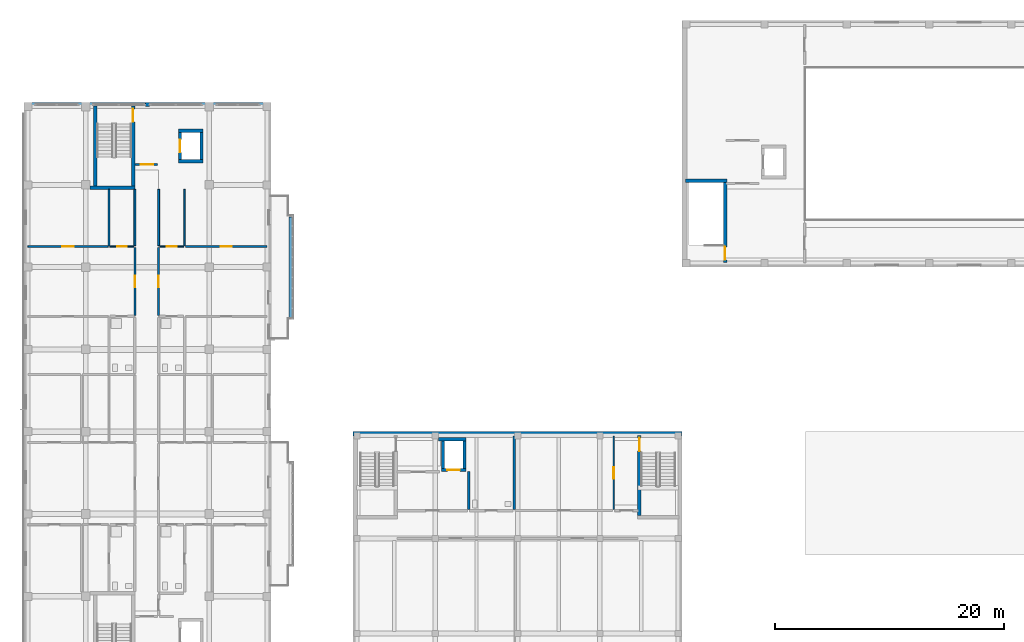
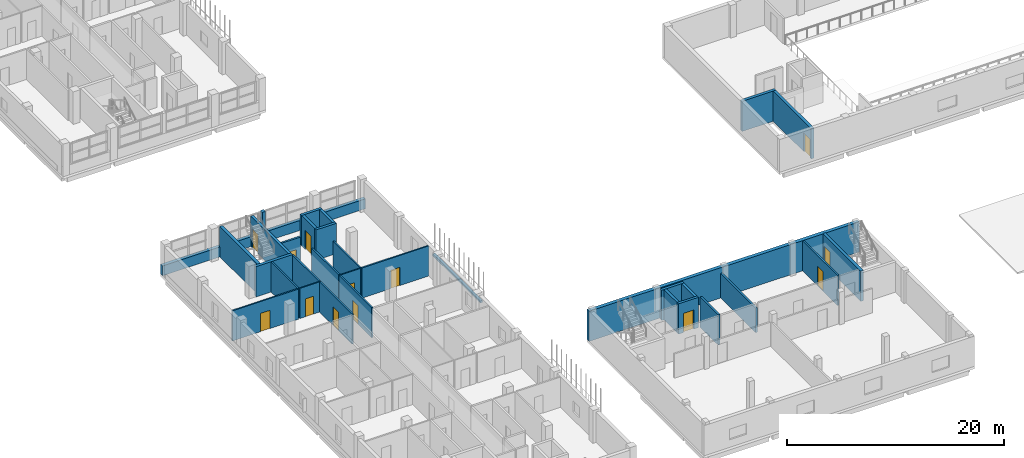
# One storey, part 37 of 73: 32 walls, 13 doors, 13 openings.
"""IFC4 building model written with IfcOpenShell, lengths in metres."""

from ifc_helpers import new_model, si_unit, derived_unit, direction, frame, frame_2d, origin, place, context, subcontext, project, spatial, rectangle, extrude, material, layer, layer_set, type_object, element, fill, save


model = new_model("IFC4")

# Units and contexts
model_context = context("Model", 3, precision=1e-05, world=origin(), true_north=direction((0.0, 1.0)))
body_context = subcontext(model_context, "Body", "Model", "MODEL_VIEW")
ifc_project = project(units=[si_unit("LENGTHUNIT", "METRE"), si_unit("AREAUNIT", "SQUARE_METRE"), si_unit("VOLUMEUNIT", "CUBIC_METRE"), si_unit("PLANEANGLEUNIT", "RADIAN"), si_unit("MASSUNIT", "GRAM", prefix="KILO"), derived_unit("THERMALTRANSMITTANCEUNIT", [(si_unit("MASSUNIT", "GRAM", prefix="KILO"), 1), (si_unit("TIMEUNIT", "SECOND"), -3), (si_unit("THERMODYNAMICTEMPERATUREUNIT", "KELVIN"), -1)])], contexts=[model_context])

# Site, building, storey
site_placement = place(None, origin())
site = spatial("IfcSite", under=ifc_project, at=site_placement, CompositionType="ELEMENT")
building_placement = place(site_placement, origin())
building = spatial("IfcBuilding", under=site, at=building_placement, Name="Ochrekiln Boulevard Commons", CompositionType="ELEMENT")
storey_placement = place(building_placement, frame((0.0, 0.0, 4.89990234375)))
storey = spatial("IfcBuildingStorey", under=building, at=storey_placement, Name="L01", CompositionType="ELEMENT", Elevation=4.89990234375)

# Walls
ifc_material_1 = material(Name="Desert ochre clinker brick masonry ASTM C216 Grade SW", Category="masonry")
ifc_layer_1 = layer(ifc_material_1, 0.3798828125)
ifc_layer_set_1 = layer_set([ifc_layer_1], Name="Desert ochre clinker brick masonry ASTM C216 Grade SW")
wall_type_1 = type_object("IfcWallType", Name="WL-EXT-ARC-380", PredefinedType="SOLIDWALL", material=ifc_layer_set_1)
wall_1_placement = place(storey_placement, frame((28.800048828125, 21.409912109375, 0.0), z_axis=(0.0, 0.0, 1.0), x_axis=(1.0, 0.0, 0.0)))
element("IfcWall", 1, at=wall_1_placement, inside=storey, type_object=wall_type_1, Name="West Boulevard Arcade L01 N Exterior Wall", PredefinedType="SOLIDWALL", context=body_context, shape_type="SweptSolid", body=[
    extrude(rectangle(XDim=28.800048828125, YDim=0.3798828125, at=frame_2d((14.39990234375, 0.0))), origin(), (0.0, 0.0, 1.0), 3.400146484375),
])
ifc_material_2 = material(Name="Iron-spot brown clinker brick masonry ASTM C216 Grade SW", Category="masonry")
ifc_layer_2 = layer(ifc_material_2, 0.364990234375)
ifc_layer_set_2 = layer_set([ifc_layer_2], Name="Iron-spot brown clinker brick masonry ASTM C216 Grade SW")
wall_type_2 = type_object("IfcWallType", Name="WL-EXT-IRON-365", PredefinedType="SOLIDWALL", material=ifc_layer_set_2)
wall_2_placement = place(storey_placement, frame((0.0, 50.217529296875, 0.0), z_axis=(0.0, 0.0, 1.0), x_axis=(1.0, 0.0, 0.0)))
element("IfcWall", 2, at=wall_2_placement, inside=storey, type_object=wall_type_2, Name="Block D L01 Courtyard Gable Sill Wall", PredefinedType="SOLIDWALL", context=body_context, shape_type="SweptSolid", body=[
    extrude(rectangle(XDim=21.60009765625, YDim=0.364990234375, at=frame_2d((10.800048828125, 0.0))), origin(), (0.0, 0.0, 1.0), 1.110107421875),
])
wall_3_placement = place(storey_placement, frame((10.6201171875, 50.217529296875, 1.110107421875), z_axis=(0.0, 0.0, 1.0), x_axis=(1.0, 0.0, 0.0)))
element("IfcWall", 3, at=wall_3_placement, inside=storey, type_object=wall_type_2, Name="Block D L01 Courtyard Gable Mullion Pier", PredefinedType="SOLIDWALL", context=body_context, shape_type="SweptSolid", body=[
    extrude(rectangle(XDim=0.35986328125, YDim=0.364990234375, at=frame_2d((0.179931640625, 0.0))), origin(), (0.0, 0.0, 1.0), 2.304931640625),
])
ifc_material_3 = material(Name="Moisture-resistant cementitious tile backer wall")
ifc_layer_3 = layer(ifc_material_3, 0.199951171875)
ifc_layer_set_3 = layer_set([ifc_layer_3], Name="Moisture-resistant cementitious tile backer wall")
wall_type_3 = type_object("IfcWallType", Name="WL-PLM-200", PredefinedType="PLUMBINGWALL", material=ifc_layer_set_3)
wall_4_placement = place(storey_placement, frame((38.909912109375, 14.780029296875, 0.0), z_axis=(0.0, 0.0, 1.0), x_axis=(0.0, 1.0, 0.0)))
element("IfcWall", 4, at=wall_4_placement, inside=storey, type_object=wall_type_3, Name="L01 Interior Wall W-PW200", PredefinedType="PLUMBINGWALL", context=body_context, shape_type="SweptSolid", body=[
    extrude(rectangle(XDim=3.344970703125, YDim=0.199951171875, at=frame_2d((1.67236328125, 0.0))), origin(), (0.0, 0.0, 1.0), 3.39013671875),
])
wall_5_placement = place(storey_placement, frame((42.889892578125, 14.77197265625, 0.0), z_axis=(0.0, 0.0, 1.0), x_axis=(0.0, 1.0, 0.0)))
element("IfcWall", 5, at=wall_5_placement, inside=storey, type_object=wall_type_3, Name="L01 Interior Wall W-PW200", PredefinedType="PLUMBINGWALL", context=body_context, shape_type="SweptSolid", body=[
    extrude(rectangle(XDim=6.447998046875, YDim=0.199951171875, at=frame_2d((3.22412109375, 0.0))), origin(), (0.0, 0.0, 1.0), 2.77001953125),
])
ifc_material_4 = material(Name="Glazed architectural terracotta ASTM C1405", Category="masonry")
ifc_layer_4 = layer(ifc_material_4, 0.25)
ifc_layer_set_4 = layer_set([ifc_layer_4], Name="Glazed architectural terracotta ASTM C1405")
wall_type_4 = type_object("IfcWallType", Name="WL-PLN-250", PredefinedType="PARAPET", material=ifc_layer_set_4)
wall_6_placement = place(storey_placement, frame((23.320068359375, 31.610107421875, 0.0), z_axis=(0.0, 0.0, 1.0), x_axis=(0.0, 1.0, 0.0)))
element("IfcWall", 6, at=wall_6_placement, inside=storey, type_object=wall_type_4, Name="Block D L01 Balcony Terracotta Planter Box 2", PredefinedType="PARAPET", context=body_context, shape_type="SweptSolid", body=[
    extrude(rectangle(XDim=8.77978515625, YDim=0.25, at=frame_2d((4.389892578125, 0.0))), origin(), (0.0, 0.0, 1.0), 0.22998046875),
])

# Wall, opening, door
ifc_material_5 = material(Name="Fire-rated Type X gypsum board on steel studs", Category="steel")
ifc_layer_5 = layer(ifc_material_5, 0.1650390625)
ifc_layer_set_5 = layer_set([ifc_layer_5], Name="Fire-rated Type X gypsum board on steel studs")
wall_type_5 = type_object("IfcWallType", Name="WL-PT-CORR-165", PredefinedType="PARTITIONING", material=ifc_layer_set_5)
wall_7_placement = place(storey_placement, frame((9.7099609375, 31.77001953125, 0.0), z_axis=(0.0, 0.0, 1.0), x_axis=(0.0, 1.0, 0.0)))
wall_7 = element("IfcWall", 7, at=wall_7_placement, inside=storey, type_object=wall_type_5, Name="L01 Interior Wall W-PC165", PredefinedType="PARTITIONING", context=body_context, shape_type="SweptSolid", body=[
    extrude(rectangle(XDim=5.9580078125, YDim=0.1650390625, at=frame_2d((2.97900390625, 0.0))), origin(), (0.0, 0.0, 1.0), 3.39501953125),
])
opening_1_placement = place(wall_7_placement, frame((2.47412109375, 0.0, 0.0)))
opening_1 = element("IfcOpeningElement", 8, at=opening_1_placement, cuts=wall_7, Name="Opening D-L01-245", PredefinedType="OPENING", context=body_context, shape_type="SweptSolid", body=[
    extrude(rectangle(XDim=1.010009765625, YDim=2.110107421875, at=frame_2d((0.5048828125, 1.05517578125))), frame((0.0, 0.092529296875, 0.0), z_axis=(0.0, -1.0, 0.0), x_axis=(1.0, 0.0, 0.0)), (0.0, 0.0, 1.0), 0.18505859375),
])
ifc_material_6 = material(Name="Solid core architectural oak door leaf")
door_type_1 = type_object("IfcDoorType", Name="DR-INT-APT-101", OperationType="NOTDEFINED", PredefinedType="DOOR", material=ifc_material_6)
door_1_placement = place(opening_1_placement, origin())
door_1 = element("IfcDoor", 9, at=door_1_placement, inside=storey, type_object=door_type_1, Name="L01 Interior Door to Two-Bedroom Apartment Living Room", OperationType="SINGLE_SWING_LEFT", OverallHeight=2.110107421875, OverallWidth=1.010009765625, PredefinedType="DOOR", context=body_context, shape_type="SweptSolid", body=[
    extrude(rectangle(XDim=1.010009765625, YDim=2.110107421875, at=frame_2d((0.5048828125, 1.05517578125))), frame((0.0, 0.02490234375, 0.0), z_axis=(0.0, -1.0, 0.0), x_axis=(1.0, 0.0, 0.0)), (0.0, 0.0, 1.0), 0.050048828125),
])
fill(opening_1, door_1)

# Wall
wall_8_placement = place(storey_placement, frame((9.7099609375, 37.887939453125, 0.0), z_axis=(0.0, 0.0, 1.0), x_axis=(0.0, 1.0, 0.0)))
element("IfcWall", 10, at=wall_8_placement, inside=storey, type_object=wall_type_5, Name="L01 Interior Wall W-PC165", PredefinedType="PARTITIONING", context=body_context, shape_type="SweptSolid", body=[
    extrude(rectangle(XDim=4.912109375, YDim=0.1650390625, at=frame_2d((2.4560546875, 0.0))), origin(), (0.0, 0.0, 1.0), 3.39501953125),
])

# Wall, opening, door
wall_9_placement = place(storey_placement, frame((11.7900390625, 31.77001953125, 0.0), z_axis=(0.0, 0.0, 1.0), x_axis=(0.0, 1.0, 0.0)))
wall_9 = element("IfcWall", 11, at=wall_9_placement, inside=storey, type_object=wall_type_5, Name="L01 Interior Wall W-PC165", PredefinedType="PARTITIONING", context=body_context, shape_type="SweptSolid", body=[
    extrude(rectangle(XDim=5.9580078125, YDim=0.1650390625, at=frame_2d((2.97900390625, 0.0))), origin(), (0.0, 0.0, 1.0), 3.39501953125),
])
opening_2_placement = place(wall_9_placement, frame((2.47412109375, 0.0, 0.0)))
opening_2 = element("IfcOpeningElement", 12, at=opening_2_placement, cuts=wall_9, Name="Opening D-L01-247", PredefinedType="OPENING", context=body_context, shape_type="SweptSolid", body=[
    extrude(rectangle(XDim=1.010009765625, YDim=2.110107421875, at=frame_2d((0.5048828125, 1.05517578125))), frame((0.0, 0.092529296875, 0.0), z_axis=(0.0, -1.0, 0.0), x_axis=(1.0, 0.0, 0.0)), (0.0, 0.0, 1.0), 0.18505859375),
])
door_2_placement = place(opening_2_placement, frame((1.010009765625, 0.0, 0.0), z_axis=(0.0, 0.0, 1.0), x_axis=(-1.0, 0.0, 0.0)))
door_2 = element("IfcDoor", 13, at=door_2_placement, inside=storey, type_object=door_type_1, Name="L01 Interior Door to Two-Bedroom Apartment Living Room", OperationType="SINGLE_SWING_LEFT", OverallHeight=2.110107421875, OverallWidth=1.010009765625, PredefinedType="DOOR", context=body_context, shape_type="SweptSolid", body=[
    extrude(rectangle(XDim=1.010009765625, YDim=2.110107421875, at=frame_2d((0.5048828125, 1.05517578125))), frame((0.0, 0.02490234375, 0.0), z_axis=(0.0, -1.0, 0.0), x_axis=(1.0, 0.0, 0.0)), (0.0, 0.0, 1.0), 0.050048828125),
])
fill(opening_2, door_2)

# Wall
wall_10_placement = place(storey_placement, frame((11.7900390625, 37.887939453125, 0.0), z_axis=(0.0, 0.0, 1.0), x_axis=(0.0, 1.0, 0.0)))
element("IfcWall", 14, at=wall_10_placement, inside=storey, type_object=wall_type_5, Name="L01 Interior Wall W-PC165", PredefinedType="PARTITIONING", context=body_context, shape_type="SweptSolid", body=[
    extrude(rectangle(XDim=4.912109375, YDim=0.1650390625, at=frame_2d((2.4560546875, 0.0))), origin(), (0.0, 0.0, 1.0), 3.39501953125),
])

# Wall, opening, door
wall_11_placement = place(storey_placement, frame((51.610107421875, 14.77197265625, 0.0), z_axis=(0.0, 0.0, 1.0), x_axis=(0.0, 1.0, 0.0)))
wall_11 = element("IfcWall", 15, at=wall_11_placement, inside=storey, type_object=wall_type_5, Name="L01 Interior Wall W-PC165", PredefinedType="PARTITIONING", context=body_context, shape_type="SweptSolid", body=[
    extrude(rectangle(XDim=6.447998046875, YDim=0.1650390625, at=frame_2d((3.22412109375, 0.0))), origin(), (0.0, 0.0, 1.0), 3.39013671875),
])
opening_3_placement = place(wall_11_placement, frame((2.718017578125, 0.0, 0.0)))
opening_3 = element("IfcOpeningElement", 16, at=opening_3_placement, cuts=wall_11, Name="Opening D-L01-298", PredefinedType="OPENING", context=body_context, shape_type="SweptSolid", body=[
    extrude(rectangle(XDim=1.02001953125, YDim=2.159912109375, at=frame_2d((0.510009765625, 1.080078125))), frame((0.0, 0.092529296875, 0.0), z_axis=(0.0, -1.0, 0.0), x_axis=(1.0, 0.0, 0.0)), (0.0, 0.0, 1.0), 0.18505859375),
])
door_type_2 = type_object("IfcDoorType", Name="DR-INT-CIV-102", OperationType="NOTDEFINED", PredefinedType="DOOR", material=ifc_material_6)
door_3_placement = place(opening_3_placement, origin())
door_3 = element("IfcDoor", 17, at=door_3_placement, inside=storey, type_object=door_type_2, Name="L01 Interior Door to Community Craft Room", OperationType="SINGLE_SWING_RIGHT", OverallHeight=2.159912109375, OverallWidth=1.02001953125, PredefinedType="DOOR", context=body_context, shape_type="SweptSolid", body=[
    extrude(rectangle(XDim=1.02001953125, YDim=2.159912109375, at=frame_2d((0.510009765625, 1.080078125))), frame((0.0, 0.02490234375, 0.0), z_axis=(0.0, -1.0, 0.0), x_axis=(1.0, 0.0, 0.0)), (0.0, 0.0, 1.0), 0.050048828125),
])
fill(opening_3, door_3)

ifc_layer_6 = layer(ifc_material_5, 0.18994140625)
ifc_layer_set_6 = layer_set([ifc_layer_6], Name="Fire-rated Type X gypsum board on steel studs")
wall_type_6 = type_object("IfcWallType", Name="WL-PT-LBY-190", PredefinedType="PARTITIONING", material=ifc_layer_set_6)
wall_12_placement = place(storey_placement, frame((9.699951171875, 44.97998046875, 0.0), z_axis=(0.0, 0.0, 1.0), x_axis=(1.0, 0.0, 0.0)))
wall_12 = element("IfcWall", 18, at=wall_12_placement, inside=storey, type_object=wall_type_6, Name="L01 Interior Wall W-PL190", PredefinedType="PARTITIONING", context=body_context, shape_type="SweptSolid", body=[
    extrude(rectangle(XDim=2.0, YDim=0.18994140625, at=frame_2d((1.0, 0.0))), origin(), (0.0, 0.0, 1.0), 3.39501953125),
])
opening_4_placement = place(wall_12_placement, frame((0.5, 0.0, 0.0)))
opening_4 = element("IfcOpeningElement", 19, at=opening_4_placement, cuts=wall_12, Name="Opening D-L01-242", PredefinedType="OPENING", context=body_context, shape_type="SweptSolid", body=[
    extrude(rectangle(XDim=1.10009765625, YDim=2.1201171875, at=frame_2d((0.550048828125, 1.06005859375))), frame((0.0, 0.10498046875, 0.0), z_axis=(0.0, -1.0, 0.0), x_axis=(1.0, 0.0, 0.0)), (0.0, 0.0, 1.0), 0.2099609375),
])
ifc_material_7 = material(Name="Hollow metal fire-rated steel door assembly", Category="steel")
door_type_3 = type_object("IfcDoorType", Name="DR-LOBBY-60", OperationType="NOTDEFINED", PredefinedType="DOOR", material=ifc_material_7)
door_4_placement = place(opening_4_placement, origin())
door_4 = element("IfcDoor", 20, at=door_4_placement, inside=storey, type_object=door_type_3, Name="L01 Interior Door to Passenger Elevator Lobby", OperationType="SINGLE_SWING_RIGHT", OverallHeight=2.1201171875, OverallWidth=1.10009765625, PredefinedType="DOOR", context=body_context, shape_type="SweptSolid", body=[
    extrude(rectangle(XDim=1.10009765625, YDim=2.1201171875, at=frame_2d((0.550048828125, 1.06005859375))), frame((0.0, 0.02490234375, 0.0), z_axis=(0.0, -1.0, 0.0), x_axis=(1.0, 0.0, 0.0)), (0.0, 0.0, 1.0), 0.050048828125),
])
fill(opening_4, door_4)

ifc_layer_7 = layer(ifc_material_5, 0.1201171875)
ifc_layer_set_7 = layer_set([ifc_layer_7], Name="Fire-rated Type X gypsum board on steel studs")
wall_type_7 = type_object("IfcWallType", Name="WL-PT-LGT-120", PredefinedType="PARTITIONING", material=ifc_layer_set_7)
wall_13_placement = place(storey_placement, frame((7.52001953125, 37.80810546875, 0.0), z_axis=(0.0, 0.0, 1.0), x_axis=(1.0, 0.0, 0.0)))
wall_13 = element("IfcWall", 21, at=wall_13_placement, inside=storey, type_object=wall_type_7, Name="L01 Interior Wall W-PL120", PredefinedType="PARTITIONING", context=body_context, shape_type="SweptSolid", body=[
    extrude(rectangle(XDim=2.10791015625, YDim=0.1201171875, at=frame_2d((1.053955078125, 0.0))), origin(), (0.0, 0.0, 1.0), 3.39501953125),
])
opening_5_placement = place(wall_13_placement, frame((0.625, 0.0, 0.0)))
opening_5 = element("IfcOpeningElement", 22, at=opening_5_placement, cuts=wall_13, Name="Opening D-L01-256", PredefinedType="OPENING", context=body_context, shape_type="SweptSolid", body=[
    extrude(rectangle(XDim=0.85009765625, YDim=2.010009765625, at=frame_2d((0.425048828125, 1.0048828125))), frame((0.0, 0.070068359375, 0.0), z_axis=(0.0, -1.0, 0.0), x_axis=(1.0, 0.0, 0.0)), (0.0, 0.0, 1.0), 0.14013671875),
])
door_type_4 = type_object("IfcDoorType", Name="DR-INT-KIT-085", OperationType="NOTDEFINED", PredefinedType="DOOR", material=ifc_material_6)
door_5_placement = place(opening_5_placement, origin())
door_5 = element("IfcDoor", 23, at=door_5_placement, inside=storey, type_object=door_type_4, Name="L01 Interior Door to Apartment Kitchen", OperationType="SINGLE_SWING_RIGHT", OverallHeight=2.010009765625, OverallWidth=0.85009765625, PredefinedType="DOOR", context=body_context, shape_type="SweptSolid", body=[
    extrude(rectangle(XDim=0.85009765625, YDim=2.010009765625, at=frame_2d((0.425048828125, 1.0048828125))), frame((0.0, 0.02490234375, 0.0), z_axis=(0.0, -1.0, 0.0), x_axis=(1.0, 0.0, 0.0)), (0.0, 0.0, 1.0), 0.050048828125),
])
fill(opening_5, door_5)

wall_14_placement = place(storey_placement, frame((11.8720703125, 37.80810546875, 0.0), z_axis=(0.0, 0.0, 1.0), x_axis=(1.0, 0.0, 0.0)))
wall_14 = element("IfcWall", 24, at=wall_14_placement, inside=storey, type_object=wall_type_7, Name="L01 Interior Wall W-PL120", PredefinedType="PARTITIONING", context=body_context, shape_type="SweptSolid", body=[
    extrude(rectangle(XDim=2.10791015625, YDim=0.1201171875, at=frame_2d((1.053955078125, 0.0))), origin(), (0.0, 0.0, 1.0), 3.39501953125),
])
opening_6_placement = place(wall_14_placement, frame((0.633056640625, 0.0, 0.0)))
opening_6 = element("IfcOpeningElement", 25, at=opening_6_placement, cuts=wall_14, Name="Opening D-L01-267", PredefinedType="OPENING", context=body_context, shape_type="SweptSolid", body=[
    extrude(rectangle(XDim=0.85009765625, YDim=2.010009765625, at=frame_2d((0.425048828125, 1.0048828125))), frame((0.0, 0.070068359375, 0.0), z_axis=(0.0, -1.0, 0.0), x_axis=(1.0, 0.0, 0.0)), (0.0, 0.0, 1.0), 0.14013671875),
])
door_6_placement = place(opening_6_placement, origin())
door_6 = element("IfcDoor", 26, at=door_6_placement, inside=storey, type_object=door_type_4, Name="L01 Interior Door to Apartment Kitchen", OperationType="SINGLE_SWING_LEFT", OverallHeight=2.010009765625, OverallWidth=0.85009765625, PredefinedType="DOOR", context=body_context, shape_type="SweptSolid", body=[
    extrude(rectangle(XDim=0.85009765625, YDim=2.010009765625, at=frame_2d((0.425048828125, 1.0048828125))), frame((0.0, 0.02490234375, 0.0), z_axis=(0.0, -1.0, 0.0), x_axis=(1.0, 0.0, 0.0)), (0.0, 0.0, 1.0), 0.050048828125),
])
fill(opening_6, door_6)

ifc_layer_8 = layer(ifc_material_5, 0.14990234375)
ifc_layer_set_8 = layer_set([ifc_layer_8], Name="Fire-rated Type X gypsum board on steel studs")
wall_type_8 = type_object("IfcWallType", Name="WL-PT-STD-150", PredefinedType="PARTITIONING", material=ifc_layer_set_8)
wall_15_placement = place(storey_placement, frame((0.35009765625, 37.80810546875, 0.0), z_axis=(0.0, 0.0, 1.0), x_axis=(1.0, 0.0, 0.0)))
wall_15 = element("IfcWall", 27, at=wall_15_placement, inside=storey, type_object=wall_type_8, Name="L01 Interior Wall W-PS150", PredefinedType="PARTITIONING", context=body_context, shape_type="SweptSolid", body=[
    extrude(rectangle(XDim=7.010009765625, YDim=0.14990234375, at=frame_2d((3.5048828125, 0.0))), origin(), (0.0, 0.0, 1.0), 3.39501953125),
])
opening_7_placement = place(wall_15_placement, frame((3.0048828125, 0.0, 0.0)))
opening_7 = element("IfcOpeningElement", 28, at=opening_7_placement, cuts=wall_15, Name="Opening D-L01-258", PredefinedType="OPENING", context=body_context, shape_type="SweptSolid", body=[
    extrude(rectangle(XDim=1.0, YDim=2.06005859375, at=frame_2d((0.5, 1.030029296875))), frame((0.0, 0.0849609375, 0.0), z_axis=(0.0, -1.0, 0.0), x_axis=(1.0, 0.0, 0.0)), (0.0, 0.0, 1.0), 0.169921875),
])
door_type_5 = type_object("IfcDoorType", Name="DR-INT-BED-100", OperationType="NOTDEFINED", PredefinedType="DOOR", material=ifc_material_6)
door_7_placement = place(opening_7_placement, origin())
door_7 = element("IfcDoor", 29, at=door_7_placement, inside=storey, type_object=door_type_5, Name="L01 Interior Door to Secondary Apartment Bedroom", OperationType="SINGLE_SWING_RIGHT", OverallHeight=2.06005859375, OverallWidth=1.0, PredefinedType="DOOR", context=body_context, shape_type="SweptSolid", body=[
    extrude(rectangle(XDim=1.0, YDim=2.06005859375, at=frame_2d((0.5, 1.030029296875))), frame((0.0, 0.02490234375, 0.0), z_axis=(0.0, -1.0, 0.0), x_axis=(1.0, 0.0, 0.0)), (0.0, 0.0, 1.0), 0.050048828125),
])
fill(opening_7, door_7)

# Wall
wall_16_placement = place(storey_placement, frame((7.43994140625, 37.867919921875, 0.0), z_axis=(0.0, 0.0, 1.0), x_axis=(0.0, 1.0, 0.0)))
element("IfcWall", 30, at=wall_16_placement, inside=storey, type_object=wall_type_8, Name="L01 Interior Wall W-PS150", PredefinedType="PARTITIONING", context=body_context, shape_type="SweptSolid", body=[
    extrude(rectangle(XDim=4.93212890625, YDim=0.14990234375, at=frame_2d((2.466064453125, 0.0))), origin(), (0.0, 0.0, 1.0), 3.39501953125),
])

# Wall, opening, door
wall_17_placement = place(storey_placement, frame((14.139892578125, 37.80810546875, 0.0), z_axis=(0.0, 0.0, 1.0), x_axis=(1.0, 0.0, 0.0)))
wall_17 = element("IfcWall", 31, at=wall_17_placement, inside=storey, type_object=wall_type_8, Name="L01 Interior Wall W-PS150", PredefinedType="PARTITIONING", context=body_context, shape_type="SweptSolid", body=[
    extrude(rectangle(XDim=7.110107421875, YDim=0.14990234375, at=frame_2d((3.55517578125, 0.0))), origin(), (0.0, 0.0, 1.0), 3.39501953125),
])
opening_8_placement = place(wall_17_placement, frame((3.0849609375, 0.0, 0.0)))
opening_8 = element("IfcOpeningElement", 32, at=opening_8_placement, cuts=wall_17, Name="Opening D-L01-269", PredefinedType="OPENING", context=body_context, shape_type="SweptSolid", body=[
    extrude(rectangle(XDim=0.93994140625, YDim=2.06005859375, at=frame_2d((0.469970703125, 1.030029296875))), frame((0.0, 0.0849609375, 0.0), z_axis=(0.0, -1.0, 0.0), x_axis=(1.0, 0.0, 0.0)), (0.0, 0.0, 1.0), 0.169921875),
])
door_type_6 = type_object("IfcDoorType", Name="DR-INT-BED-094", OperationType="NOTDEFINED", PredefinedType="DOOR", material=ifc_material_6)
door_8_placement = place(opening_8_placement, origin())
door_8 = element("IfcDoor", 33, at=door_8_placement, inside=storey, type_object=door_type_6, Name="L01 Interior Door to Secondary Apartment Bedroom", OperationType="SINGLE_SWING_LEFT", OverallHeight=2.06005859375, OverallWidth=0.93994140625, PredefinedType="DOOR", context=body_context, shape_type="SweptSolid", body=[
    extrude(rectangle(XDim=0.93994140625, YDim=2.06005859375, at=frame_2d((0.469970703125, 1.030029296875))), frame((0.0, 0.02490234375, 0.0), z_axis=(0.0, -1.0, 0.0), x_axis=(1.0, 0.0, 0.0)), (0.0, 0.0, 1.0), 0.050048828125),
])
fill(opening_8, door_8)

# Walls
wall_18_placement = place(storey_placement, frame((14.06005859375, 37.867919921875, 0.0), z_axis=(0.0, 0.0, 1.0), x_axis=(0.0, 1.0, 0.0)))
element("IfcWall", 34, at=wall_18_placement, inside=storey, type_object=wall_type_8, Name="L01 Interior Wall W-PS150", PredefinedType="PARTITIONING", context=body_context, shape_type="SweptSolid", body=[
    extrude(rectangle(XDim=4.93212890625, YDim=0.14990234375, at=frame_2d((2.466064453125, 0.0))), origin(), (0.0, 0.0, 1.0), 3.39501953125),
])
ifc_material_8 = material(Name="Concrete C40/50", Category="concrete")
ifc_layer_9 = layer(ifc_material_8, 0.27490234375)
ifc_layer_set_9 = layer_set([ifc_layer_9], Name="Concrete C40/50")
wall_type_9 = type_object("IfcWallType", Name="WL-SH-275", PredefinedType="SHEAR", material=ifc_layer_set_9)
for number, where, z_axis, x_axis, name in (
    (35, (13.52490234375, 45.262451171875, 0.0), (0.0, 0.0, 1.0), (1.0, 0.0, 0.0), "Elevator LP-D2 L01 Hoistway Shear Wall"),
    (36, (13.52490234375, 47.9375, 0.0), (0.0, 0.0, 1.0), (1.0, 0.0, 0.0), "Elevator LP-D2 L01 Hoistway Shear Wall"),
):
    element("IfcWall", number, at=place(storey_placement, frame(where, z_axis=z_axis, x_axis=x_axis)), inside=storey, type_object=wall_type_9, Name=name, PredefinedType="SHEAR", context=body_context, shape_type="SweptSolid", body=[
        extrude(rectangle(XDim=2.150146484375, YDim=0.27490234375, at=frame_2d((1.0751953125, 0.0))), origin(), (0.0, 0.0, 1.0), 3.4150390625),
    ])

# Wall, opening, door
wall_19_placement = place(storey_placement, frame((13.66259765625, 45.39990234375, 0.0), z_axis=(0.0, 0.0, 1.0), x_axis=(0.0, 1.0, 0.0)))
wall_19 = element("IfcWall", 37, at=wall_19_placement, inside=storey, type_object=wall_type_9, Name="Elevator LP-D2 L01 Hoistway Shear Wall", PredefinedType="SHEAR", context=body_context, shape_type="SweptSolid", body=[
    extrude(rectangle(XDim=2.400146484375, YDim=0.27490234375, at=frame_2d((1.2001953125, 0.0))), origin(), (0.0, 0.0, 1.0), 3.4150390625),
])
opening_9_placement = place(wall_19_placement, frame((0.64990234375, 0.0, 0.0)))
opening_9 = element("IfcOpeningElement", 38, at=opening_9_placement, cuts=wall_19, Name="Opening LD-LP-D2-L01", PredefinedType="OPENING", context=body_context, shape_type="SweptSolid", body=[
    extrude(rectangle(XDim=1.10009765625, YDim=2.14990234375, at=frame_2d((0.550048828125, 1.074951171875))), frame((0.0, 0.1474609375, 0.0), z_axis=(0.0, -1.0, 0.0), x_axis=(1.0, 0.0, 0.0)), (0.0, 0.0, 1.0), 0.294921875),
])
ifc_material_9 = material(Name="Brushed stainless steel 316 elevator cab and doors", Category="steel")
door_type_7 = type_object("IfcDoorType", Name="DR-LIFT-LD90", OperationType="SLIDING_TO_LEFT", PredefinedType="DOOR", material=ifc_material_9)
door_9_placement = place(opening_9_placement, origin())
door_9 = element("IfcDoor", 39, at=door_9_placement, inside=storey, type_object=door_type_7, Name="Elevator LP-D2 L01 Sliding Landing Door LD-LP-D2-L01", OperationType="SLIDING_TO_LEFT", OverallHeight=2.14990234375, OverallWidth=1.10009765625, PredefinedType="DOOR", context=body_context, shape_type="SweptSolid", body=[
    extrude(rectangle(XDim=1.10009765625, YDim=2.14990234375, at=frame_2d((0.550048828125, 1.074951171875))), frame((0.0, 0.02490234375, 0.0), z_axis=(0.0, -1.0, 0.0), x_axis=(1.0, 0.0, 0.0)), (0.0, 0.0, 1.0), 0.050048828125),
])
fill(opening_9, door_9)

# Wall
wall_20_placement = place(storey_placement, frame((15.53759765625, 45.39990234375, 0.0), z_axis=(0.0, 0.0, 1.0), x_axis=(0.0, 1.0, 0.0)))
element("IfcWall", 40, at=wall_20_placement, inside=storey, type_object=wall_type_9, Name="Elevator LP-D2 L01 Hoistway Shear Wall", PredefinedType="SHEAR", context=body_context, shape_type="SweptSolid", body=[
    extrude(rectangle(XDim=2.400146484375, YDim=0.27490234375, at=frame_2d((1.2001953125, 0.0))), origin(), (0.0, 0.0, 1.0), 3.4150390625),
])

# Wall, opening, door
wall_21_placement = place(storey_placement, frame((36.52490234375, 18.262451171875, 0.0), z_axis=(0.0, 0.0, 1.0), x_axis=(1.0, 0.0, 0.0)))
wall_21 = element("IfcWall", 41, at=wall_21_placement, inside=storey, type_object=wall_type_9, Name="Elevator LP-S1 L01 Hoistway Shear Wall", PredefinedType="SHEAR", context=body_context, shape_type="SweptSolid", body=[
    extrude(rectangle(XDim=2.150146484375, YDim=0.27490234375, at=frame_2d((1.0751953125, 0.0))), origin(), (0.0, 0.0, 1.0), 3.400146484375),
])
opening_10_placement = place(wall_21_placement, frame((0.52490234375, 0.0, 0.0)))
opening_10 = element("IfcOpeningElement", 42, at=opening_10_placement, cuts=wall_21, Name="Opening LD-LP-S1-L01", PredefinedType="OPENING", context=body_context, shape_type="SweptSolid", body=[
    extrude(rectangle(XDim=1.10009765625, YDim=2.14990234375, at=frame_2d((0.550048828125, 1.074951171875))), frame((0.0, 0.1474609375, 0.0), z_axis=(0.0, -1.0, 0.0), x_axis=(1.0, 0.0, 0.0)), (0.0, 0.0, 1.0), 0.294921875),
])
door_10_placement = place(opening_10_placement, origin())
door_10 = element("IfcDoor", 43, at=door_10_placement, inside=storey, type_object=door_type_7, Name="Elevator LP-S1 L01 Sliding Landing Door LD-LP-S1-L01", OperationType="SLIDING_TO_LEFT", OverallHeight=2.14990234375, OverallWidth=1.10009765625, PredefinedType="DOOR", context=body_context, shape_type="SweptSolid", body=[
    extrude(rectangle(XDim=1.10009765625, YDim=2.14990234375, at=frame_2d((0.550048828125, 1.074951171875))), frame((0.0, 0.02490234375, 0.0), z_axis=(0.0, -1.0, 0.0), x_axis=(1.0, 0.0, 0.0)), (0.0, 0.0, 1.0), 0.050048828125),
])
fill(opening_10, door_10)

# Walls
for number, where, z_axis, x_axis, name in (
    (44, (36.27490234375, 20.9375, 0.0), (0.0, 0.0, 1.0), (1.0, 0.0, 0.0), "Elevator LP-S1 L01 Hoistway Shear Wall"),
    (45, (36.66259765625, 18.39990234375, 0.0), (0.0, 0.0, 1.0), (0.0, 1.0, 0.0), "Elevator LP-S1 L01 Hoistway Shear Wall"),
    (46, (38.53759765625, 18.39990234375, 0.0), (0.0, 0.0, 1.0), (0.0, 1.0, 0.0), "Elevator LP-S1 L01 Hoistway Shear Wall"),
):
    element("IfcWall", number, at=place(storey_placement, frame(where, z_axis=z_axis, x_axis=x_axis)), inside=storey, type_object=wall_type_9, Name=name, PredefinedType="SHEAR", context=body_context, shape_type="SweptSolid", body=[
        extrude(rectangle(XDim=2.400146484375, YDim=0.27490234375, at=frame_2d((1.2001953125, 0.0))), origin(), (0.0, 0.0, 1.0), 3.400146484375),
    ])
ifc_layer_10 = layer(ifc_material_8, 0.300048828125)
ifc_layer_set_10 = layer_set([ifc_layer_10], Name="Concrete C40/50")
wall_type_10 = type_object("IfcWallType", Name="WL-SH-300", PredefinedType="SHEAR", material=ifc_layer_set_10)
wall_22_placement = place(storey_placement, frame((5.77490234375, 42.929931640625, 0.0), z_axis=(0.0, 0.0, 1.0), x_axis=(1.0, 0.0, 0.0)))
element("IfcWall", 47, at=wall_22_placement, inside=storey, type_object=wall_type_10, Name="Stair ST-D2 L01 Core Shear Wall S", PredefinedType="SHEAR", context=body_context, shape_type="SweptSolid", body=[
    extrude(rectangle(XDim=3.925048828125, YDim=0.300048828125, at=frame_2d((1.96240234375, 0.0))), origin(), (0.0, 0.0, 1.0), 3.4150390625),
])
wall_23_placement = place(storey_placement, frame((6.25, 43.080078125, 0.0), z_axis=(0.0, 0.0, 1.0), x_axis=(0.0, 1.0, 0.0)))
element("IfcWall", 48, at=wall_23_placement, inside=storey, type_object=wall_type_10, Name="Stair ST-D2 L01 Core Shear Wall W", PredefinedType="SHEAR", context=body_context, shape_type="SweptSolid", body=[
    extrude(rectangle(XDim=7.0, YDim=0.300048828125, at=frame_2d((3.5, 0.0))), origin(), (0.0, 0.0, 1.0), 3.4150390625),
])

# Wall, opening, door
wall_24_placement = place(storey_placement, frame((9.550048828125, 43.080078125, 0.0), z_axis=(0.0, 0.0, 1.0), x_axis=(0.0, 1.0, 0.0)))
wall_24 = element("IfcWall", 49, at=wall_24_placement, inside=storey, type_object=wall_type_10, Name="Stair ST-D2 L01 Core Shear Wall E", PredefinedType="SHEAR", context=body_context, shape_type="SweptSolid", body=[
    extrude(rectangle(XDim=7.0, YDim=0.300048828125, at=frame_2d((3.5, 0.0))), origin(), (0.0, 0.0, 1.0), 3.4150390625),
])
opening_11_placement = place(wall_24_placement, frame((5.625, 0.0, 0.0)))
opening_11 = element("IfcOpeningElement", 50, at=opening_11_placement, cuts=wall_24, Name="Opening D-L01-ST-D2", PredefinedType="OPENING", context=body_context, shape_type="SweptSolid", body=[
    extrude(rectangle(XDim=1.14990234375, YDim=2.1201171875, at=frame_2d((0.574951171875, 1.06005859375))), frame((0.0, 0.159912109375, 0.0), z_axis=(0.0, -1.0, 0.0), x_axis=(1.0, 0.0, 0.0)), (0.0, 0.0, 1.0), 0.320068359375),
])
door_type_8 = type_object("IfcDoorType", Name="DR-STAIR-90", OperationType="NOTDEFINED", PredefinedType="DOOR", material=ifc_material_7)
door_11_placement = place(opening_11_placement, origin())
door_11 = element("IfcDoor", 51, at=door_11_placement, inside=storey, type_object=door_type_8, Name="Enclosed Exit Stair ST-D2 L01 Rated Door", OperationType="SINGLE_SWING_LEFT", OverallHeight=2.1201171875, OverallWidth=1.14990234375, PredefinedType="DOOR", context=body_context, shape_type="SweptSolid", body=[
    extrude(rectangle(XDim=1.14990234375, YDim=2.1201171875, at=frame_2d((0.574951171875, 1.06005859375))), frame((0.0, 0.02490234375, 0.0), z_axis=(0.0, -1.0, 0.0), x_axis=(1.0, 0.0, 0.0)), (0.0, 0.0, 1.0), 0.050048828125),
])
fill(opening_11, door_11)

# Wall
wall_25_placement = place(storey_placement, frame((57.89990234375, 43.550048828125, 0.0), z_axis=(0.0, 0.0, 1.0), x_axis=(1.0, 0.0, 0.0)))
element("IfcWall", 52, at=wall_25_placement, inside=storey, type_object=wall_type_10, Name="Stair ST-H1 L01 Core Shear Wall N", PredefinedType="SHEAR", context=body_context, shape_type="SweptSolid", body=[
    extrude(rectangle(XDim=3.60009765625, YDim=0.300048828125, at=frame_2d((1.800048828125, 0.0))), origin(), (0.0, 0.0, 1.0), 3.405029296875),
])

# Wall, opening, door
wall_26_placement = place(storey_placement, frame((61.35009765625, 36.39990234375, 0.0), z_axis=(0.0, 0.0, 1.0), x_axis=(0.0, 1.0, 0.0)))
wall_26 = element("IfcWall", 53, at=wall_26_placement, inside=storey, type_object=wall_type_10, Name="Stair ST-H1 L01 Core Shear Wall E", PredefinedType="SHEAR", context=body_context, shape_type="SweptSolid", body=[
    extrude(rectangle(XDim=7.0, YDim=0.300048828125, at=frame_2d((3.5, 0.0))), origin(), (0.0, 0.0, 1.0), 3.405029296875),
])
opening_12_placement = place(wall_26_placement, frame((0.22509765625, 0.0, 0.0)))
opening_12 = element("IfcOpeningElement", 54, at=opening_12_placement, cuts=wall_26, Name="Opening D-L01-ST-H1", PredefinedType="OPENING", context=body_context, shape_type="SweptSolid", body=[
    extrude(rectangle(XDim=1.14990234375, YDim=2.1201171875, at=frame_2d((0.574951171875, 1.06005859375))), frame((0.0, 0.159912109375, 0.0), z_axis=(0.0, -1.0, 0.0), x_axis=(1.0, 0.0, 0.0)), (0.0, 0.0, 1.0), 0.320068359375),
])
door_12_placement = place(opening_12_placement, origin())
door_12 = element("IfcDoor", 55, at=door_12_placement, inside=storey, type_object=door_type_8, Name="Enclosed Exit Stair ST-H1 L01 Rated Door", OperationType="SINGLE_SWING_RIGHT", OverallHeight=2.1201171875, OverallWidth=1.14990234375, PredefinedType="DOOR", context=body_context, shape_type="SweptSolid", body=[
    extrude(rectangle(XDim=1.14990234375, YDim=2.1201171875, at=frame_2d((0.574951171875, 1.06005859375))), frame((0.0, 0.02490234375, 0.0), z_axis=(0.0, -1.0, 0.0), x_axis=(1.0, 0.0, 0.0)), (0.0, 0.0, 1.0), 0.050048828125),
])
fill(opening_12, door_12)

wall_27_placement = place(storey_placement, frame((53.85009765625, 14.280029296875, 0.0), z_axis=(0.0, 0.0, 1.0), x_axis=(0.0, 1.0, 0.0)))
wall_27 = element("IfcWall", 56, at=wall_27_placement, inside=storey, type_object=wall_type_10, Name="Stair ST-W2 L01 Core Shear Wall W", PredefinedType="SHEAR", context=body_context, shape_type="SweptSolid", body=[
    extrude(rectangle(XDim=7.0, YDim=0.300048828125, at=frame_2d((3.5, 0.0))), origin(), (0.0, 0.0, 1.0), 3.400146484375),
])
opening_13_placement = place(wall_27_placement, frame((5.625, 0.0, 0.0)))
opening_13 = element("IfcOpeningElement", 57, at=opening_13_placement, cuts=wall_27, Name="Opening D-L01-ST-W2", PredefinedType="OPENING", context=body_context, shape_type="SweptSolid", body=[
    extrude(rectangle(XDim=1.14990234375, YDim=2.1201171875, at=frame_2d((0.574951171875, 1.06005859375))), frame((0.0, 0.159912109375, 0.0), z_axis=(0.0, -1.0, 0.0), x_axis=(1.0, 0.0, 0.0)), (0.0, 0.0, 1.0), 0.320068359375),
])
door_13_placement = place(opening_13_placement, frame((1.14990234375, 0.0, 0.0), z_axis=(0.0, 0.0, 1.0), x_axis=(-1.0, 0.0, 0.0)))
door_13 = element("IfcDoor", 58, at=door_13_placement, inside=storey, type_object=door_type_8, Name="Enclosed Exit Stair ST-W2 L01 Rated Door", OperationType="SINGLE_SWING_RIGHT", OverallHeight=2.1201171875, OverallWidth=1.14990234375, PredefinedType="DOOR", context=body_context, shape_type="SweptSolid", body=[
    extrude(rectangle(XDim=1.14990234375, YDim=2.1201171875, at=frame_2d((0.574951171875, 1.06005859375))), frame((0.0, 0.02490234375, 0.0), z_axis=(0.0, -1.0, 0.0), x_axis=(1.0, 0.0, 0.0)), (0.0, 0.0, 1.0), 0.050048828125),
])
fill(opening_13, door_13)

save(model, "model.ifc")
